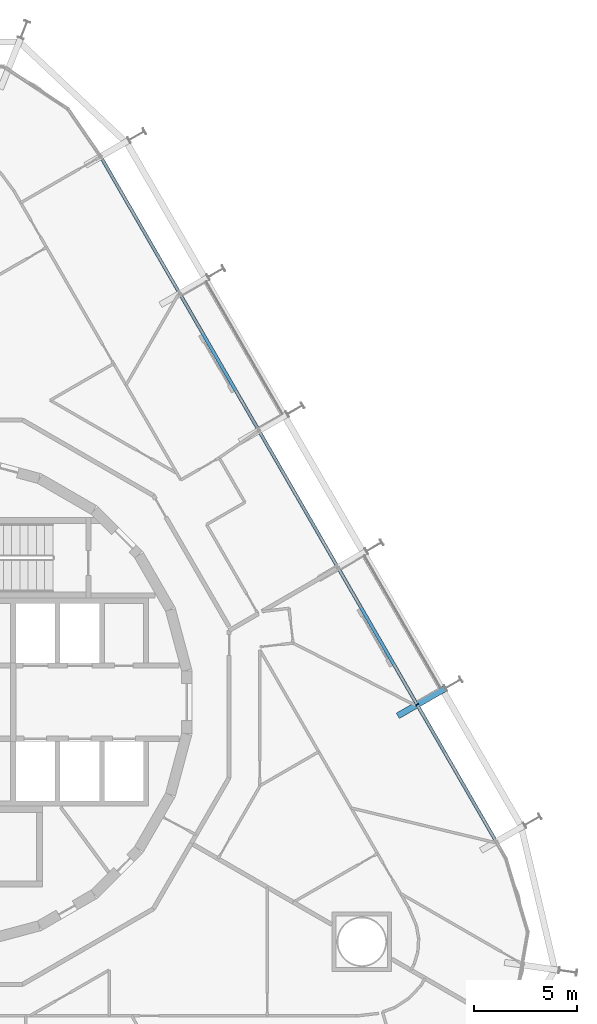
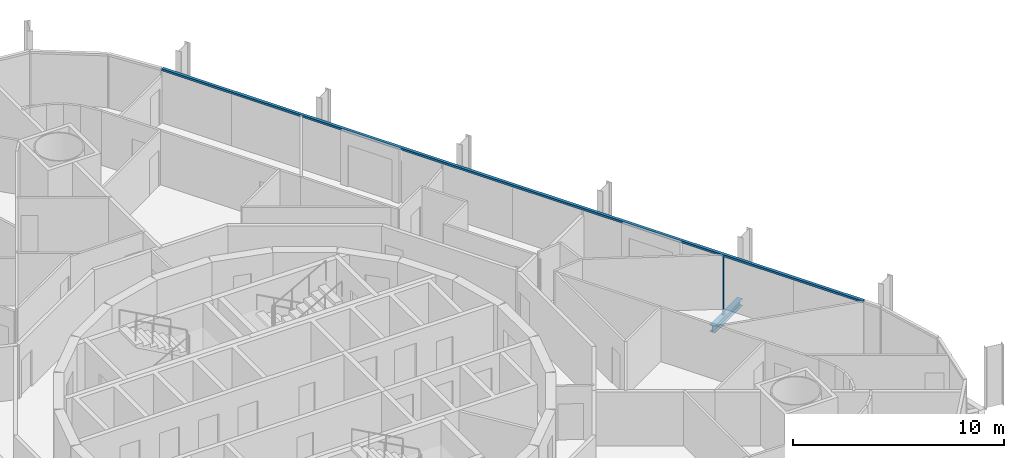
# One storey, part 7 of 20: 2 members, 1 beam, 1 element without a shape of its own.
"""IFC4 building model written with IfcOpenShell, lengths in metres."""

from ifc_helpers import new_model, si_unit, direction, frame, origin, origin_2d, place, context, subcontext, project, spatial, rectangle, i_section, extrude, material, layer, layer_set, material_profile, profile_set, type_object, element, aggregate, save


model = new_model("IFC4")

# Units and contexts
model_context = context("Model", 3, precision=1e-05, world=origin(), true_north=direction((0.0, 1.0)))
body_context = subcontext(model_context, "Body", "Model", "MODEL_VIEW")
ifc_project = project(units=[si_unit("LENGTHUNIT", "METRE"), si_unit("AREAUNIT", "SQUARE_METRE"), si_unit("VOLUMEUNIT", "CUBIC_METRE"), si_unit("PLANEANGLEUNIT", "RADIAN"), si_unit("MASSUNIT", "GRAM", prefix="KILO")], contexts=[model_context])

# Site, building, storey
site_placement = place(None, origin())
site = spatial("IfcSite", under=ifc_project, at=site_placement, CompositionType="ELEMENT")
building_placement = place(site_placement, origin())
building = spatial("IfcBuilding", under=site, at=building_placement, Name="Spindle Arch Residences", CompositionType="ELEMENT")
storey_placement = place(building_placement, frame((0.0, 0.0, 59.39990234375)))
storey = spatial("IfcBuildingStorey", under=building, at=storey_placement, Name="L13", CompositionType="ELEMENT", Elevation=59.39990234375)

# Curtain wall, members
ifc_material_1 = material(Name="Aluminium bronze unitised frame with tinted glass", Category="aluminium")
ifc_layer = layer(ifc_material_1, 0.159912109375)
ifc_layer_set = layer_set([ifc_layer], Name="CW-C typical residential unitised wall")
curtain_wall_type = type_object("IfcCurtainWallType", Name="CW-C typical residential unitised wall", PredefinedType="NOTDEFINED", material=ifc_layer_set)
curtain_wall_placement = place(storey_placement, origin())
curtain_wall = element("IfcCurtainWall", 1, at=curtain_wall_placement, inside=storey, type_object=curtain_wall_type, Name="CW-C L13 run 2", PredefinedType="NOTDEFINED")
ifc_material_2 = material(Name="Aluminium bronze anodised mullion", Category="aluminium")
ifc_material_profile_1 = material_profile(ifc_material_2, rectangle(XDim=0.159912109375, YDim=0.06005859375, at=origin_2d()), Name="MU 60x160")
ifc_profile_set_1 = profile_set([ifc_material_profile_1], Name="Aluminium bronze anodised mullion")
member_type_1 = type_object("IfcMemberType", Name="Bronze mullion 60x160", PredefinedType="MULLION", material=ifc_profile_set_1)
member_1_placement = place(storey_placement, frame((22.829345703125, -0.121826171875, -0.3798828125), z_axis=(0.0, 0.0, 1.0), x_axis=(-0.866025403784, -0.5, 0.0)))
member_1 = element("IfcMember", 2, at=member_1_placement, type_object=member_type_1, Name="CW-C mullion 06", PredefinedType="MULLION", context=body_context, shape_type="SweptSolid", body=[
    extrude(rectangle(XDim=0.159912109375, YDim=0.06005859375, at=origin_2d()), origin(), (0.0, 0.0, 1.0), 3.3798828125),
])
ifc_material_3 = material(Name="Aluminium bronze anodised transom", Category="aluminium")
ifc_material_profile_2 = material_profile(ifc_material_3, rectangle(XDim=0.159912109375, YDim=0.1201171875, at=origin_2d()), Name="TR 120x160")
ifc_profile_set_2 = profile_set([ifc_material_profile_2], Name="Aluminium bronze anodised transom")
member_type_2 = type_object("IfcMemberType", Name="Bronze transom 120x160", PredefinedType="USERDEFINED", material=ifc_profile_set_2)
member_2_placement = place(storey_placement, frame((26.654296875, -6.746826171875, 3.06005859375), z_axis=(-0.50000099666, 0.866024828362, 0.0), x_axis=(-0.866024828362, -0.50000099666, 0.0)))
member_2 = element("IfcMember", 3, at=member_2_placement, type_object=member_type_2, Name="CW-C transom 00", ObjectType="TRANSOM", PredefinedType="USERDEFINED", context=body_context, shape_type="SweptSolid", body=[
    extrude(rectangle(XDim=0.159912109375, YDim=0.1201171875, at=origin_2d()), origin(), (0.0, 0.0, 1.0), 38.34033203125),
])
aggregate(curtain_wall, [member_2, member_1])

# Beam
ifc_material_4 = material(Name="Steel S460ML, intumescent coating R 120", Category="steel")
ifc_material_profile_3 = material_profile(ifc_material_4, i_section(OverallWidth=0.300048828125, OverallDepth=0.389892578125, WebThickness=0.010986328125, FlangeThickness=0.01904296875, FilletRadius=0.027099609375, at=origin_2d()), Name="HEA 400")
ifc_profile_set_3 = profile_set([ifc_material_profile_3], Name="Steel S460ML, intumescent coating R 120")
beam_type = type_object("IfcBeamType", Name="Floor outrigger HEA 400", PredefinedType="BEAM", material=ifc_profile_set_3)
beam_placement = place(storey_placement, frame((24.18896484375, 0.6630859375, -0.574951171875), z_axis=(-0.866029095148, -0.499993606316, 0.0), x_axis=(0.499993606316, -0.866029095148, 0.0)))
element("IfcBeam", 4, at=beam_placement, inside=storey, type_object=beam_type, Name="Floor outrigger 7", PredefinedType="BEAM", context=body_context, shape_type="SweptSolid", body=[
    extrude(i_section(OverallWidth=0.300048828125, OverallDepth=0.389892578125, WebThickness=0.010986328125, FlangeThickness=0.01904296875, FilletRadius=0.027099609375, at=origin_2d()), origin(), (0.0, 0.0, 1.0), 2.64990234375),
])

save(model, "model.ifc")
